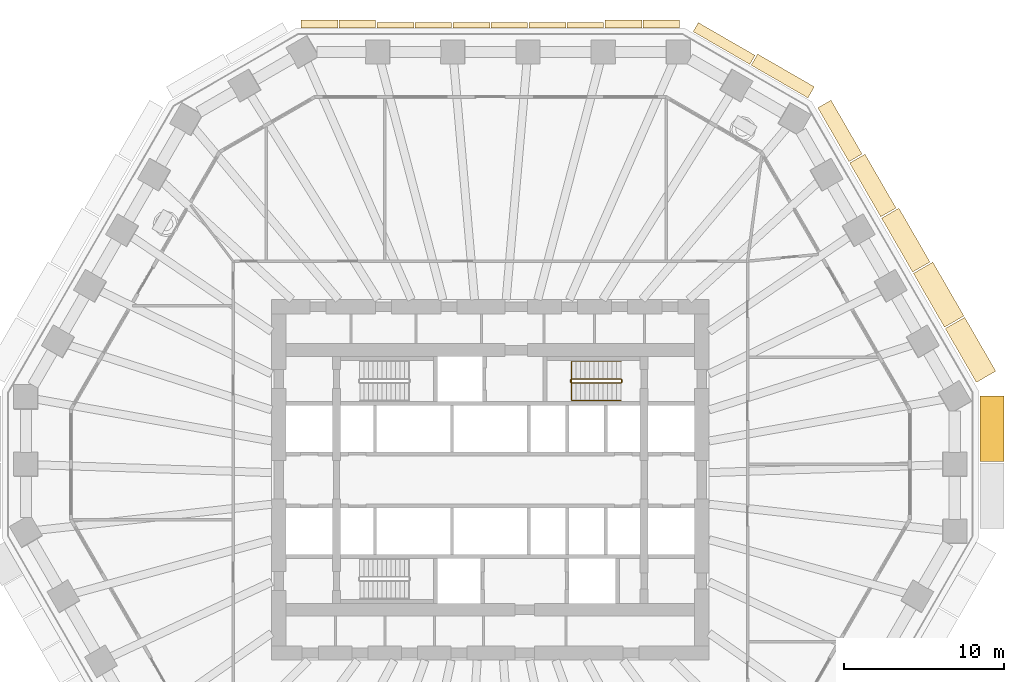
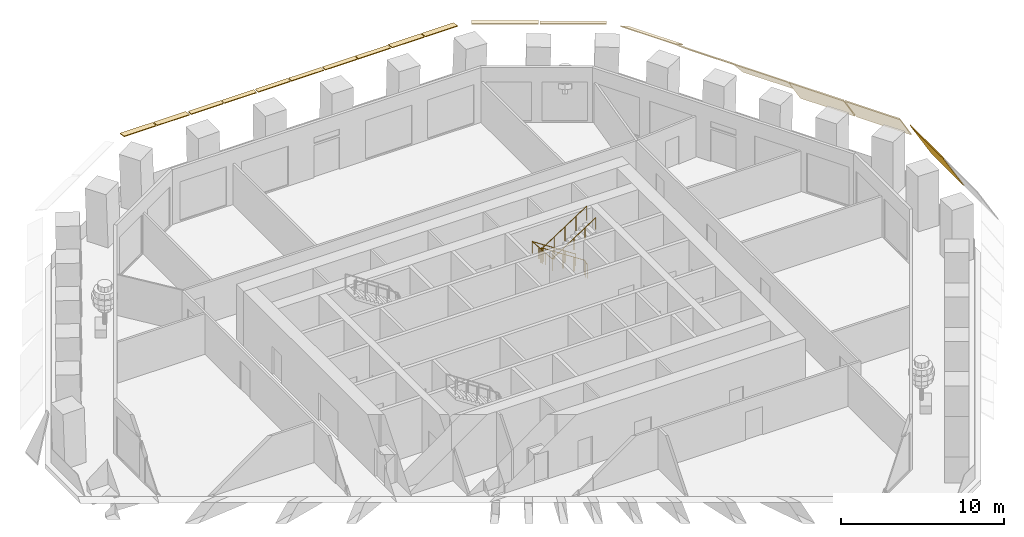
# One storey, part 10 of 12: 18 coverings, 2 railings.
"""IFC4 building model written with IfcOpenShell, lengths in metres."""

from ifc_helpers import new_model, si_unit, direction, frame, origin, origin_2d, place, context, subcontext, project, spatial, polyline, circle, outline, extrude, material, layer, layer_set, type_object, element, save


model = new_model("IFC4")

# Units and contexts
model_context = context("Model", 3, precision=1e-05, world=origin(), true_north=direction((0.0, 1.0)))
body_context = subcontext(model_context, "Body", "Model", "MODEL_VIEW")
ifc_project = project(units=[si_unit("LENGTHUNIT", "METRE"), si_unit("AREAUNIT", "SQUARE_METRE"), si_unit("VOLUMEUNIT", "CUBIC_METRE"), si_unit("PLANEANGLEUNIT", "RADIAN"), si_unit("MASSUNIT", "GRAM", prefix="KILO")], contexts=[model_context])

# Site, building, storey
site_placement = place(None, origin())
site = spatial("IfcSite", under=ifc_project, at=site_placement, CompositionType="ELEMENT")
building_placement = place(site_placement, origin())
building = spatial("IfcBuilding", under=site, at=building_placement, Name="Frailejon Research Tower", CompositionType="ELEMENT")
storey_placement = place(building_placement, frame((0.0, 0.0, 45.39990234375)))
storey = spatial("IfcBuildingStorey", under=building, at=storey_placement, Name="L10", CompositionType="ELEMENT", Elevation=45.39990234375)

# Coverings
ifc_material_1 = material(Name="Precast concrete C50/60", Category="concrete")
ifc_layer_1 = layer(ifc_material_1, 0.06005859375)
ifc_layer_set_1 = layer_set([ifc_layer_1], Name="Brim blade depth 1100")
covering_type_1 = type_object("IfcCoveringType", Name="Brim blade depth 1100", PredefinedType="CLADDING", material=ifc_layer_set_1)
covering_1_placement = place(storey_placement, frame((22.422607421875, 19.775390625, 4.25), z_axis=(0.500014877162, -0.866016814281, 0.0), x_axis=(0.866016814281, 0.500014877162, 0.0)))
element("IfcCovering", 1, at=covering_1_placement, inside=storey, type_object=covering_type_1, Name="Brim blade L10", PredefinedType="CLADDING", context=body_context, shape_type="SweptSolid", body=[
    extrude(outline(polyline([(0.0, -0.078369140625), (1.10009765625, -1.001220703125), (1.10009765625, -0.923095703125), (0.0, 0.0), (0.0, -0.078369140625)])), origin(), (0.0, 0.0, 1.0), 3.87646484375),
])
ifc_material_2 = material(Name="Precast concrete C50/60", Category="concrete")
ifc_layer_2 = layer(ifc_material_2, 0.06005859375)
ifc_layer_set_2 = layer_set([ifc_layer_2], Name="Brim blade depth 1250")
covering_type_2 = type_object("IfcCoveringType", Name="Brim blade depth 1250", PredefinedType="CLADDING", material=ifc_layer_set_2)
covering_2_placement = place(storey_placement, frame((24.410888671875, 16.331787109375, 4.25), z_axis=(0.499985126803, -0.866033990659, 0.0), x_axis=(0.866033990659, 0.499985126803, 0.0)))
element("IfcCovering", 2, at=covering_2_placement, inside=storey, type_object=covering_type_2, Name="Brim blade L10", PredefinedType="CLADDING", context=body_context, shape_type="SweptSolid", body=[
    extrude(outline(polyline([(0.0, -0.0888671875), (1.25, -1.452880859375), (1.25, -1.364013671875), (0.0, 0.0), (0.0, -0.0888671875)])), origin(), (0.0, 0.0, 1.0), 3.87646484375),
])
ifc_material_3 = material(Name="Precast concrete C50/60", Category="concrete")
ifc_layer_3 = layer(ifc_material_3, 0.06005859375)
ifc_layer_set_3 = layer_set([ifc_layer_3], Name="Brim blade depth 1400")
covering_type_3 = type_object("IfcCoveringType", Name="Brim blade depth 1400", PredefinedType="CLADDING", material=ifc_layer_set_3)
for number, where, z_axis, x_axis, name in (
    (3, (28.38720703125, 9.444091796875, 4.25), (0.500014877162, -0.866016814281, 0.0), (0.866016814281, 0.500014877162, 0.0), "Brim blade L10"),
    (4, (26.39892578125, 12.887939453125, 4.25), (0.499996015972, -0.866027703952, 0.0), (0.866027703952, 0.499996015972, 0.0), "Brim blade L10"),
):
    element("IfcCovering", number, at=place(storey_placement, frame(where, z_axis=z_axis, x_axis=x_axis)), inside=storey, type_object=covering_type_3, Name=name, PredefinedType="CLADDING", context=body_context, shape_type="SweptSolid", body=[
        extrude(outline(polyline([(0.0, -0.1044921875), (1.39990234375, -2.10400390625), (1.39990234375, -1.99951171875), (0.0, 0.0), (0.0, -0.1044921875)])), origin(), (0.0, 0.0, 1.0), 3.87646484375),
    ])
ifc_material_4 = material(Name="Precast concrete C50/60", Category="concrete")
ifc_layer_4 = layer(ifc_material_4, 0.06005859375)
ifc_layer_set_4 = layer_set([ifc_layer_4], Name="Brim blade depth 1500")
covering_type_4 = type_object("IfcCoveringType", Name="Brim blade depth 1500", PredefinedType="CLADDING", material=ifc_layer_set_4)
covering_3_placement = place(storey_placement, frame((30.551513671875, 5.243896484375, 4.25), z_axis=(0.0, -1.0, 0.0), x_axis=(1.0, 0.0, 0.0)))
element("IfcCovering", 5, at=covering_3_placement, inside=storey, type_object=covering_type_4, Name="Brim blade L10", PredefinedType="CLADDING", context=body_context, shape_type="SweptSolid", body=[
    extrude(outline(polyline([(0.0, -0.1201171875), (1.5, -2.718017578125), (1.5, -2.59814453125), (0.0, 0.0), (0.0, -0.1201171875)])), origin(), (0.0, 0.0, 1.0), 4.087646484375),
])
ifc_material_5 = material(Name="Precast concrete C50/60", Category="concrete")
ifc_layer_5 = layer(ifc_material_5, 0.06005859375)
ifc_layer_set_5 = layer_set([ifc_layer_5], Name="Brim blade depth 350")
covering_type_5 = type_object("IfcCoveringType", Name="Brim blade depth 350", PredefinedType="CLADDING", material=ifc_layer_set_5)
for number, where, z_axis, x_axis, name in (
    (6, (4.77294921875, 28.199951171875, 4.25), (1.0, 0.0, 0.0), (0.0, 1.0, 0.0), "Brim blade L10"),
    (7, (2.42138671875, 28.199951171875, 4.25), (1.0, 0.0, 0.0), (0.0, 1.0, 0.0), "Brim blade L10"),
    (8, (0.030029296875, 28.199951171875, 4.25), (1.0, 0.0, 0.0), (0.0, 1.0, 0.0), "Brim blade L10"),
    (9, (-2.3212890625, 28.199951171875, 4.25), (1.0, 0.0, 0.0), (0.0, 1.0, 0.0), "Brim blade L10"),
    (10, (-4.712890625, 28.199951171875, 4.25), (1.0, 0.0, 0.0), (0.0, 1.0, 0.0), "Brim blade L10"),
    (11, (-7.064208984375, 28.199951171875, 4.25), (1.0, 0.0, 0.0), (0.0, 1.0, 0.0), "Brim blade L10"),
):
    element("IfcCovering", number, at=place(storey_placement, frame(where, z_axis=z_axis, x_axis=x_axis)), inside=storey, type_object=covering_type_5, Name=name, PredefinedType="CLADDING", context=body_context, shape_type="SweptSolid", body=[
        extrude(outline(polyline([(0.0, -0.06005859375), (0.35009765625, -0.06005859375), (0.35009765625, 0.0), (0.0, 0.0), (0.0, -0.06005859375)])), origin(), (0.0, 0.0, 1.0), 2.29150390625),
    ])
ifc_material_6 = material(Name="Precast concrete C50/60", Category="concrete")
ifc_layer_6 = layer(ifc_material_6, 0.06005859375)
ifc_layer_set_6 = layer_set([ifc_layer_6], Name="Brim blade depth 500")
covering_type_6 = type_object("IfcCoveringType", Name="Brim blade depth 500", PredefinedType="CLADDING", material=ifc_layer_set_6)
for number, where, z_axis, x_axis, name in (
    (12, (9.515869140625, 28.199951171875, 4.25), (1.0, 0.0, 0.0), (0.0, 1.0, 0.0), "Brim blade L10"),
    (13, (7.164306640625, 28.199951171875, 4.25), (1.0, 0.0, 0.0), (0.0, 1.0, 0.0), "Brim blade L10"),
    (14, (-9.455810546875, 28.199951171875, 4.25), (1.0, 0.0, 0.0), (0.0, 1.0, 0.0), "Brim blade L10"),
    (15, (-11.80712890625, 28.199951171875, 4.25), (1.0, 0.0, 0.0), (0.0, 1.0, 0.0), "Brim blade L10"),
):
    element("IfcCovering", number, at=place(storey_placement, frame(where, z_axis=z_axis, x_axis=x_axis)), inside=storey, type_object=covering_type_6, Name=name, PredefinedType="CLADDING", context=body_context, shape_type="SweptSolid", body=[
        extrude(outline(polyline([(0.0, -0.060546875), (0.5, -0.130859375), (0.5, -0.0703125), (0.0, 0.0), (0.0, -0.060546875)])), origin(), (0.0, 0.0, 1.0), 2.29150390625),
    ])
ifc_material_7 = material(Name="Precast concrete C50/60", Category="concrete")
ifc_layer_7 = layer(ifc_material_7, 0.06005859375)
ifc_layer_set_7 = layer_set([ifc_layer_7], Name="Brim blade depth 650")
covering_type_7 = type_object("IfcCoveringType", Name="Brim blade depth 650", PredefinedType="CLADDING", material=ifc_layer_set_7)
covering_4_placement = place(storey_placement, frame((12.650390625, 27.97412109375, 4.25), z_axis=(0.866021344981, -0.500007029989, 0.0), x_axis=(0.500007029989, 0.866021344981, 0.0)))
element("IfcCovering", 16, at=covering_4_placement, inside=storey, type_object=covering_type_7, Name="Brim blade L10", PredefinedType="CLADDING", context=body_context, shape_type="SweptSolid", body=[
    extrude(outline(polyline([(0.0, -0.0625), (0.64990234375, -0.248779296875), (0.64990234375, -0.186279296875), (0.0, 0.0), (0.0, -0.0625)])), origin(), (0.0, 0.0, 1.0), 4.08740234375),
])
ifc_material_8 = material(Name="Precast concrete C50/60", Category="concrete")
ifc_layer_8 = layer(ifc_material_8, 0.06005859375)
ifc_layer_set_8 = layer_set([ifc_layer_8], Name="Brim blade depth 800")
covering_type_8 = type_object("IfcCoveringType", Name="Brim blade depth 800", PredefinedType="CLADDING", material=ifc_layer_set_8)
covering_5_placement = place(storey_placement, frame((16.277099609375, 25.880126953125, 4.25), z_axis=(0.866027315287, -0.499996689166, 0.0), x_axis=(0.499996689166, 0.866027315287, 0.0)))
element("IfcCovering", 17, at=covering_5_placement, inside=storey, type_object=covering_type_8, Name="Brim blade L10", PredefinedType="CLADDING", context=body_context, shape_type="SweptSolid", body=[
    extrude(outline(polyline([(0.0, -0.065673828125), (0.800048828125, -0.421875), (0.800048828125, -0.356201171875), (0.0, 0.0), (0.0, -0.065673828125)])), origin(), (0.0, 0.0, 1.0), 4.087646484375),
])
ifc_material_9 = material(Name="Precast concrete C50/60", Category="concrete")
ifc_layer_9 = layer(ifc_material_9, 0.06005859375)
ifc_layer_set_9 = layer_set([ifc_layer_9], Name="Brim blade depth 950")
covering_type_9 = type_object("IfcCoveringType", Name="Brim blade depth 950", PredefinedType="CLADDING", material=ifc_layer_set_9)
covering_6_placement = place(storey_placement, frame((20.434326171875, 23.218994140625, 4.25), z_axis=(0.499996015972, -0.866027703952, 0.0), x_axis=(0.866027703952, 0.499996015972, 0.0)))
element("IfcCovering", 18, at=covering_6_placement, inside=storey, type_object=covering_type_9, Name="Brim blade L10", PredefinedType="CLADDING", context=body_context, shape_type="SweptSolid", body=[
    extrude(outline(polyline([(0.0, -0.07080078125), (0.949951171875, -0.664306640625), (0.949951171875, -0.593505859375), (0.0, 0.0), (0.0, -0.07080078125)])), origin(), (0.0, 0.0, 1.0), 3.87646484375),
])

# Railings
ifc_material_10 = material(Name="Stainless steel", Category="steel")
railing_type_1 = type_object("IfcRailingType", Name="Stair guard 1100", PredefinedType="GUARDRAIL", material=ifc_material_10)
railing_1_placement = place(storey_placement, frame((8.199951171875, 6.10009765625, 0.0)))
element("IfcRailing", 19, at=railing_1_placement, inside=storey, type_object=railing_type_1, Name="L10 ST3 stair guard 1", PredefinedType="GUARDRAIL", context=body_context, shape_type="SweptSolid", body=[
    extrude(circle(Radius=0.02392578125, at=origin_2d()), frame((0.0, 0.0, 1.076171875), z_axis=(0.0, 1.0, 0.0), x_axis=(-1.0, 0.0, 0.0)), (0.0, 0.0, 1.0), 0.14990234375),
    extrude(circle(Radius=0.02392578125, at=origin_2d()), frame((0.0, 0.14990234375, 1.076171875), z_axis=(-0.254653276557, 0.254653276557, 0.932900539971), x_axis=(-0.707106781187, -0.707106781187, 0.0)), (0.0, 0.0, 1.0), 0.196533203125),
    extrude(circle(Radius=0.02392578125, at=origin_2d()), frame((-0.050048828125, 0.199951171875, 1.25927734375), z_axis=(-0.836582707638, 0.0, 0.547840645882), x_axis=(0.0, -1.0, 0.0)), (0.0, 0.0, 1.0), 3.681396484375),
    extrude(circle(Radius=0.02392578125, at=origin_2d()), frame((-3.1298828125, 0.199951171875, 3.2763671875), z_axis=(-0.707106781187, -0.707106781187, 0.0), x_axis=(0.707106781187, -0.707106781187, 0.0)), (0.0, 0.0, 1.0), 0.07080078125),
    extrude(circle(Radius=0.02392578125, at=origin_2d()), frame((-3.179931640625, 0.14990234375, 3.2763671875), z_axis=(0.0, -1.0, 0.0), x_axis=(1.0, 0.0, 0.0)), (0.0, 0.0, 1.0), 0.14990234375),
    extrude(circle(Radius=0.02392578125, at=origin_2d()), frame((-3.179931640625, 0.0, 3.2763671875), z_axis=(0.254653276557, -0.254653276557, 0.932900539971), x_axis=(0.707106781187, 0.707106781187, 0.0)), (0.0, 0.0, 1.0), 0.196533203125),
    extrude(circle(Radius=0.02392578125, at=origin_2d()), frame((-3.1298828125, -0.050048828125, 3.45947265625), z_axis=(0.836613101238, 0.0, 0.547794230379), x_axis=(0.0, 1.0, 0.0)), (0.0, 0.0, 1.0), 3.681396484375),
    extrude(circle(Radius=0.02099609375, at=origin_2d()), origin(), (0.0, 0.0, 1.0), 1.052001953125),
    extrude(circle(Radius=0.02099609375, at=origin_2d()), frame((0.0, 0.14990234375, 0.0)), (0.0, 0.0, 1.0), 1.052001953125),
    extrude(circle(Radius=0.02099609375, at=origin_2d()), frame((-0.050048828125, 0.199951171875, 0.183349609375)), (0.0, 0.0, 1.0), 1.052001953125),
    extrude(circle(Radius=0.02099609375, at=origin_2d()), frame((-0.820068359375, 0.199951171875, 0.6875)), (0.0, 0.0, 1.0), 1.052001953125),
    extrude(circle(Radius=0.02099609375, at=origin_2d()), frame((-1.58984375, 0.199951171875, 1.19189453125)), (0.0, 0.0, 1.0), 1.052001953125),
    extrude(circle(Radius=0.02099609375, at=origin_2d()), frame((-2.35986328125, 0.199951171875, 1.696044921875)), (0.0, 0.0, 1.0), 1.052001953125),
    extrude(circle(Radius=0.02099609375, at=origin_2d()), frame((-3.1298828125, 0.199951171875, 2.2001953125)), (0.0, 0.0, 1.0), 1.052001953125),
    extrude(circle(Radius=0.02099609375, at=origin_2d()), frame((-3.179931640625, 0.14990234375, 2.2001953125)), (0.0, 0.0, 1.0), 1.052001953125),
    extrude(circle(Radius=0.02099609375, at=origin_2d()), frame((-3.179931640625, 0.0, 2.2001953125)), (0.0, 0.0, 1.0), 1.052001953125),
    extrude(circle(Radius=0.02099609375, at=origin_2d()), frame((-3.1298828125, -0.050048828125, 2.383544921875)), (0.0, 0.0, 1.0), 1.052001953125),
    extrude(circle(Radius=0.02099609375, at=origin_2d()), frame((-2.35986328125, -0.050048828125, 2.8876953125)), (0.0, 0.0, 1.0), 1.052001953125),
    extrude(circle(Radius=0.02099609375, at=origin_2d()), frame((-1.58984375, -0.050048828125, 3.391845703125)), (0.0, 0.0, 1.0), 1.052001953125),
    extrude(circle(Radius=0.02099609375, at=origin_2d()), frame((-0.820068359375, -0.050048828125, 3.89599609375)), (0.0, 0.0, 1.0), 1.052001953125),
    extrude(circle(Radius=0.02099609375, at=origin_2d()), frame((-0.050048828125, -0.050048828125, 4.400146484375)), (0.0, 0.0, 1.0), 1.052001953125),
])
ifc_material_11 = material(Name="Stainless steel", Category="steel")
railing_type_2 = type_object("IfcRailingType", Name="Stair handrail 900", PredefinedType="HANDRAIL", material=ifc_material_11)
railing_2_placement = place(storey_placement, frame((8.14990234375, 7.39990234375, 0.183349609375)))
element("IfcRailing", 20, at=railing_2_placement, inside=storey, type_object=railing_type_2, Name="L10 ST3 stair handrail 1", PredefinedType="HANDRAIL", context=body_context, shape_type="SweptSolid", body=[
    extrude(circle(Radius=0.02392578125, at=origin_2d()), frame((0.0, 0.0, 0.8759765625), z_axis=(-0.836582707638, 0.0, 0.547840645882), x_axis=(0.0, -1.0, 0.0)), (0.0, 0.0, 1.0), 3.681396484375),
    extrude(circle(Radius=0.02392578125, at=origin_2d()), frame((-3.079833984375, 0.0, 2.892578125), z_axis=(0.0, -0.99721134034, 0.074629368868), x_axis=(1.0, 0.0, 0.0)), (0.0, 0.0, 1.0), 2.456787109375),
    extrude(circle(Radius=0.02392578125, at=origin_2d()), frame((-3.079833984375, -2.449951171875, 3.076171875), z_axis=(0.836613101238, 0.0, 0.547794230379), x_axis=(0.0, 1.0, 0.0)), (0.0, 0.0, 1.0), 3.681396484375),
    extrude(circle(Radius=0.02099609375, at=origin_2d()), origin(), (0.0, 0.0, 1.0), 0.851806640625),
    extrude(circle(Radius=0.02099609375, at=origin_2d()), frame((-0.77001953125, 0.0, 0.504150390625)), (0.0, 0.0, 1.0), 0.851806640625),
    extrude(circle(Radius=0.02099609375, at=origin_2d()), frame((-1.5400390625, 0.0, 1.00830078125)), (0.0, 0.0, 1.0), 0.851806640625),
    extrude(circle(Radius=0.02099609375, at=origin_2d()), frame((-2.309814453125, 0.0, 1.5126953125)), (0.0, 0.0, 1.0), 0.851806640625),
    extrude(circle(Radius=0.02099609375, at=origin_2d()), frame((-3.079833984375, 0.0, 2.016845703125)), (0.0, 0.0, 1.0), 0.851806640625),
    extrude(circle(Radius=0.02099609375, at=origin_2d()), frame((-3.079833984375, -0.816650390625, 2.077880859375)), (0.0, 0.0, 1.0), 0.851806640625),
    extrude(circle(Radius=0.02099609375, at=origin_2d()), frame((-3.079833984375, -1.63330078125, 2.13916015625)), (0.0, 0.0, 1.0), 0.851806640625),
    extrude(circle(Radius=0.02099609375, at=origin_2d()), frame((-3.079833984375, -2.449951171875, 2.2001953125)), (0.0, 0.0, 1.0), 0.851806640625),
    extrude(circle(Radius=0.02099609375, at=origin_2d()), frame((-2.309814453125, -2.449951171875, 2.704345703125)), (0.0, 0.0, 1.0), 0.851806640625),
    extrude(circle(Radius=0.02099609375, at=origin_2d()), frame((-1.5400390625, -2.449951171875, 3.20849609375)), (0.0, 0.0, 1.0), 0.851806640625),
    extrude(circle(Radius=0.02099609375, at=origin_2d()), frame((-0.77001953125, -2.449951171875, 3.712646484375)), (0.0, 0.0, 1.0), 0.851806640625),
    extrude(circle(Radius=0.02099609375, at=origin_2d()), frame((0.0, -2.449951171875, 4.216796875)), (0.0, 0.0, 1.0), 0.851806640625),
])

save(model, "model.ifc")
